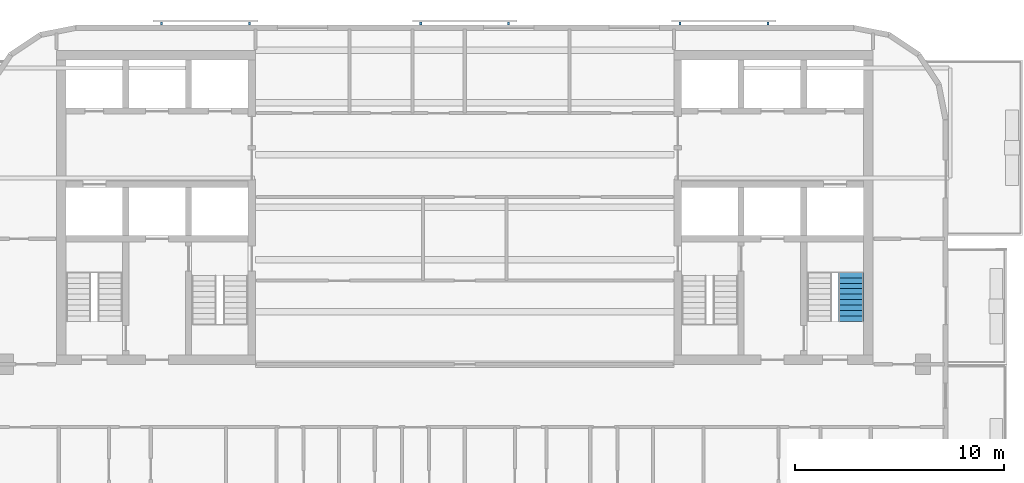
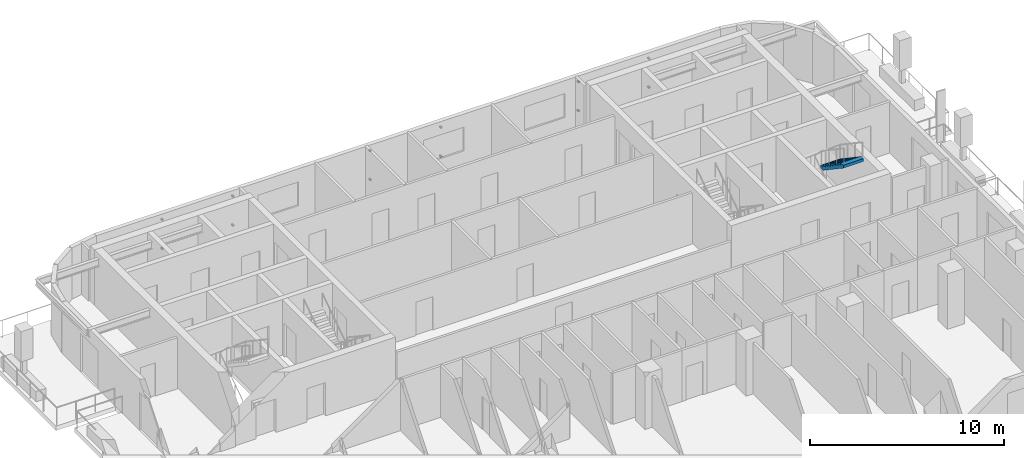
# One storey, part 8 of 11: 12 discrete accessories, 1 stair flight, 1 element without a shape of its own.
"""IFC4 building model written with IfcOpenShell, lengths in metres."""

import ifcopenshell
import ifcopenshell.guid

model = None  # the IFC model being written
_history = None  # IfcOwnerHistory: only IFC2X3 demands one
_inside = {}  # id of a spatial element -> (the spatial element, [elements in it])
_under = {}  # id of a project, library or spatial element -> (it, [spatial elements below it])
_declared = {}  # id of a project -> (the project, [libraries it declares])
_typed = {}  # id of a type object -> (the type object, [elements of that type])
_made_of = {}  # id of a material, layer set ... -> (it, [elements and type objects made of it])


def new_model(schema):
    """Start an empty IFC model of exactly this schema.

    Asked for "IFC4X3", IfcOpenShell would pick the latest addendum, in which some entities
    have other attributes; the version numbers below select the first issue.
    IFC2X3 requires an IfcOwnerHistory on every rooted entity: one is made here for all.
    """
    global model, _history
    if schema == "IFC4X3":
        model = ifcopenshell.file(schema_version=(4, 3, 0, 0))
    else:
        model = ifcopenshell.file(schema=schema)
    _inside.clear()
    _under.clear()
    _declared.clear()
    _typed.clear()
    _made_of.clear()
    _history = None
    if model.schema == "IFC2X3":
        org = make("IfcOrganization", Name="unknown")
        user = make(
            "IfcPersonAndOrganization",
            ThePerson=make("IfcPerson", FamilyName="unknown"),
            TheOrganization=org,
        )
        app = make(
            "IfcApplication",
            ApplicationDeveloper=org,
            Version="unknown",
            ApplicationFullName="unknown",
            ApplicationIdentifier="unknown",
        )
        _history = make(
            "IfcOwnerHistory",
            OwningUser=user,
            OwningApplication=app,
            ChangeAction="ADDED",
            CreationDate=0,
        )
    return model


def make(cls, **values):
    """One entity of the class cls with the attributes given. An attribute that is None is left unset."""
    return model.create_entity(
        cls, **{name: value for name, value in values.items() if value is not None}
    )


def rooted(cls, **values):
    """An entity with a GlobalId (a new one), such as an element, a storey or a relation."""
    return make(cls, GlobalId=ifcopenshell.guid.new(), OwnerHistory=_history, **values)


def si_unit(unit_type, name, prefix=None):
    """IfcSIUnit, for example si_unit("LENGTHUNIT", "METRE", prefix="MILLI")."""
    return make("IfcSIUnit", UnitType=unit_type, Prefix=prefix, Name=name)


def assignment(units):
    """IfcUnitAssignment: the units of a project."""
    return None if units is None else make("IfcUnitAssignment", Units=units)


def point(xyz):
    """IfcCartesianPoint."""
    return None if xyz is None else make("IfcCartesianPoint", Coordinates=xyz)


def direction(xyz):
    """IfcDirection."""
    return None if xyz is None else make("IfcDirection", DirectionRatios=xyz)


def frame(location, z_axis=None, x_axis=None):
    """IfcAxis2Placement3D, a coordinate frame: its origin and axes. An axis left out is left unset."""
    return make(
        "IfcAxis2Placement3D",
        Location=point(location),
        Axis=direction(z_axis),
        RefDirection=direction(x_axis),
    )


def frame_2d(location, x_axis=None):
    """IfcAxis2Placement2D, a coordinate frame in the plane: its origin and x axis."""
    return make(
        "IfcAxis2Placement2D", Location=point(location), RefDirection=direction(x_axis)
    )


def origin():
    """The frame at (0, 0, 0) with its axes left unset."""
    return frame((0.0, 0.0, 0.0))


def origin_2d():
    """The frame at (0, 0) in the plane with its x axis left unset."""
    return frame_2d((0.0, 0.0))


def place(relative_to, where):
    """IfcLocalPlacement: puts the frame where relative to a parent placement (None: the world)."""
    return make(
        "IfcLocalPlacement", PlacementRelTo=relative_to, RelativePlacement=where
    )


def context(
    kind, dimensions, precision=None, world=None, true_north=None, identifier=None
):
    """IfcGeometricRepresentationContext, for example the 3D "Model" context."""
    return make(
        "IfcGeometricRepresentationContext",
        ContextIdentifier=identifier,
        ContextType=kind,
        CoordinateSpaceDimension=dimensions,
        Precision=precision,
        WorldCoordinateSystem=world,
        TrueNorth=true_north,
    )


def subcontext(parent, identifier, kind, view, scale=None):
    """IfcGeometricRepresentationSubContext, for example "Body" below "Model"."""
    return make(
        "IfcGeometricRepresentationSubContext",
        ContextIdentifier=identifier,
        ContextType=kind,
        ParentContext=parent,
        TargetScale=scale,
        TargetView=view,
    )


def project(units=None, contexts=None):
    """IfcProject with its units and contexts."""
    return rooted(
        "IfcProject",
        Name="project",
        RepresentationContexts=contexts,
        UnitsInContext=assignment(units),
    )


def spatial(cls, under=None, at=None, **own):
    """A site, building, storey or space (cls), placed at a placement, below another one or the project."""
    s = rooted(cls, ObjectPlacement=at, **own)
    if under is not None:
        _under.setdefault(under.id(), (under, []))[1].append(s)
    return s


def polyline(points):
    """IfcPolyline through the points."""
    return make("IfcPolyline", Points=[point(p) for p in points])


def profile(cls, at=None, kind="AREA", **sizes):
    """A parametric profile (cls). Its sizes go by their IFC names, for example OverallWidth=200.0."""
    return make(cls, ProfileType=kind, Position=at, **sizes)


def rectangle(**sizes):
    """IfcRectangleProfileDef."""
    return profile("IfcRectangleProfileDef", **sizes)


def outline(outer, holes=None, kind="AREA"):
    """IfcArbitraryClosedProfileDef: a profile drawn as a closed curve; with holes, ...WithVoids."""
    if holes is None:
        return make("IfcArbitraryClosedProfileDef", ProfileType=kind, OuterCurve=outer)
    return make(
        "IfcArbitraryProfileDefWithVoids",
        ProfileType=kind,
        OuterCurve=outer,
        InnerCurves=holes,
    )


def extrude(swept, where, along, depth):
    """IfcExtrudedAreaSolid: the profile swept, set in the frame where, extruded along a direction by depth."""
    return make(
        "IfcExtrudedAreaSolid",
        SweptArea=swept,
        Position=where,
        ExtrudedDirection=direction(along),
        Depth=depth,
    )


def shape(context_of_items, identifier, shape_type, items):
    """IfcShapeRepresentation: the items that make up one representation, for example the "Body"."""
    return make(
        "IfcShapeRepresentation",
        ContextOfItems=context_of_items,
        RepresentationIdentifier=identifier,
        RepresentationType=shape_type,
        Items=items,
    )


def material(Name=None, Category=None):
    """IfcMaterial."""
    return make("IfcMaterial", Name=Name, Category=Category)


def made_of(thing, what):
    """Note that an element or type object is made of a material, layer set ...; save() writes the relation."""
    if what is not None:
        _made_of.setdefault(what.id(), (what, []))[1].append(thing)
    return thing


def type_object(cls, material=None, **own):
    """A type object (cls), such as IfcWallType, which elements share."""
    return made_of(rooted(cls, **own), material)


def element(
    cls,
    number,
    at=None,
    inside=None,
    cuts=None,
    type_object=None,
    material=None,
    context=None,
    identifier="Body",
    shape_type=None,
    held_by="IfcProductDefinitionShape",
    body=None,
    shapes=None,
    **own,
):
    """One element of the class cls, such as IfcWall. Its Tag is "e" and its number.

    at: its placement. inside: the storey or other place that contains it. cuts: it is an
    opening in that element (IfcRelVoidsElement). A single representation is given by context,
    identifier, shape_type and body (its items); several are given by shapes. held_by: the class
    of the entity that holds the representations. save() writes the other relations.
    """
    e = rooted(cls, Tag="e%d" % number, ObjectPlacement=at, **own)
    if body is not None:
        shapes = [shape(context, identifier, shape_type, body)]
    if shapes is not None:
        e.Representation = make(held_by, Representations=shapes)
    if inside is not None:
        _inside.setdefault(inside.id(), (inside, []))[1].append(e)
    if cuts is not None:
        rooted(
            "IfcRelVoidsElement", RelatingBuildingElement=cuts, RelatedOpeningElement=e
        )
    if type_object is not None:
        _typed.setdefault(type_object.id(), (type_object, []))[1].append(e)
    return made_of(e, material)


def aggregate(whole, parts):
    """IfcRelAggregates: a whole, such as a stair, and the parts it consists of."""
    return rooted("IfcRelAggregates", RelatingObject=whole, RelatedObjects=parts)


def save(model, path):
    """Write the relations noted so far, then the file.

    IfcRelAggregates (storeys below a building ...), IfcRelContainedInSpatialStructure (elements
    in a storey), IfcRelDefinesByType, IfcRelAssociatesMaterial and IfcRelDeclares: one each for
    every whole, place, type object, material and project.
    """
    for whole, parts in _under.values():
        aggregate(whole, parts)
    for where, things in _inside.values():
        rooted(
            "IfcRelContainedInSpatialStructure",
            RelatedElements=things,
            RelatingStructure=where,
        )
    for kind, things in _typed.values():
        rooted("IfcRelDefinesByType", RelatedObjects=things, RelatingType=kind)
    for what, things in _made_of.values():
        rooted("IfcRelAssociatesMaterial", RelatedObjects=things, RelatingMaterial=what)
    for by, libraries in _declared.values():
        rooted("IfcRelDeclares", RelatingContext=by, RelatedDefinitions=libraries)
    model.write(path)


model = new_model("IFC4")

# Units and contexts
model_context = context("Model", 3, precision=1e-05, world=origin(), true_north=direction((0.0, 1.0)))
body_context = subcontext(model_context, "Body", "Model", "MODEL_VIEW")
ifc_project = project(units=[si_unit("LENGTHUNIT", "METRE"), si_unit("AREAUNIT", "SQUARE_METRE"), si_unit("VOLUMEUNIT", "CUBIC_METRE"), si_unit("PLANEANGLEUNIT", "RADIAN"), si_unit("MASSUNIT", "GRAM", prefix="KILO")], contexts=[model_context])

# Site, building, storey
site_placement = place(None, origin())
site = spatial("IfcSite", under=ifc_project, at=site_placement, CompositionType="ELEMENT")
building_placement = place(site_placement, origin())
building = spatial("IfcBuilding", under=site, at=building_placement, Name="Torana Hotel and Residences", CompositionType="ELEMENT")
storey_placement = place(building_placement, frame((0.0, 0.0, 270.10009765625)))
storey = spatial("IfcBuildingStorey", under=building, at=storey_placement, Name="L71", CompositionType="ELEMENT", Elevation=270.10009765625)

# Stair, stair flight
ifc_material_1 = material(Name="Concrete C40/50 precast", Category="concrete")
stair_type = type_object("IfcStairType", Name="STAIR ST4 HALF TURN 1200", PredefinedType="HALF_TURN_STAIR", material=ifc_material_1)
stair_placement = place(storey_placement, origin())
stair = element("IfcStair", 1, at=stair_placement, inside=storey, type_object=stair_type, Name="Stair ST4 L71", PredefinedType="HALF_TURN_STAIR")
ifc_material_2 = material(Name="Concrete C40/50 precast", Category="concrete")
stair_flight_type = type_object("IfcStairFlightType", Name="STAIR FLIGHT 1200 PRECAST", PredefinedType="STRAIGHT", material=ifc_material_2)
stair_flight_placement = place(storey_placement, frame((18.449951171875, -10.610107421875, 1.75), z_axis=(0.0, 0.0, 1.0), x_axis=(0.0, -1.0, 0.0)))
stair_flight = element("IfcStairFlight", 2, at=stair_flight_placement, type_object=stair_flight_type, Name="ST4 flight 2", NumberOfRisers=10, NumberOfTreads=9, PredefinedType="STRAIGHT", RiserHeight=0.175, TreadLength=0.26, context=body_context, shape_type="SweptSolid", body=[
    extrude(outline(polyline([(0.0, 0.0), (0.0, 0.175048828125), (0.260009765625, 0.175048828125), (0.260009765625, 0.35009765625), (0.52001953125, 0.35009765625), (0.52001953125, 0.52490234375), (0.780029296875, 0.52490234375), (0.780029296875, 0.699951171875), (1.0400390625, 0.699951171875), (1.0400390625, 0.875), (1.300048828125, 0.875), (1.300048828125, 1.050048828125), (1.56005859375, 1.050048828125), (1.56005859375, 1.22509765625), (1.820068359375, 1.22509765625), (1.820068359375, 1.39990234375), (2.080078125, 1.39990234375), (2.080078125, 1.574951171875), (2.340087890625, 1.574951171875), (2.340087890625, 1.75), (2.340087890625, 1.394287109375), (0.2685546875, 0.0), (0.0, 0.0)])), frame((0.0, 0.60009765625, 0.0), z_axis=(0.0, -1.0, 0.0), x_axis=(1.0, 0.0, 0.0)), (0.0, 0.0, 1.0), 1.199951171875),
])
aggregate(stair, [stair_flight])

# Discrete accessories
ifc_material_3 = material(Name="Steel S355", Category="steel")
discrete_accessory_type = type_object("IfcDiscreteAccessoryType", Name="SCREEN BRACKET 100", PredefinedType="BRACKET", material=ifc_material_3)
for number, where, z_axis, x_axis, name in (
    (3, (14.483642578125, 1.27490234375, 0.749755859375), (0.0, 0.0, 1.0), (-1.0, 0.0, 0.0), "Screen bracket L71"),
    (4, (14.483642578125, 1.27490234375, 2.56982421875), (0.0, 0.0, 1.0), (-1.0, 0.0, 0.0), "Screen bracket L71"),
    (5, (10.28369140625, 1.27490234375, 0.749755859375), (0.0, 0.0, 1.0), (-1.0, 0.0, 0.0), "Screen bracket L71"),
    (6, (10.28369140625, 1.27490234375, 2.56982421875), (0.0, 0.0, 1.0), (-1.0, 0.0, 0.0), "Screen bracket L71"),
    (7, (2.10009765625, 1.27490234375, 0.749755859375), (0.0, 0.0, 1.0), (-1.0, 0.0, 0.0), "Screen bracket L71"),
    (8, (2.10009765625, 1.27490234375, 2.56982421875), (0.0, 0.0, 1.0), (-1.0, 0.0, 0.0), "Screen bracket L71"),
    (9, (-2.10009765625, 1.27490234375, 0.749755859375), (0.0, 0.0, 1.0), (-1.0, 0.0, 0.0), "Screen bracket L71"),
    (10, (-2.10009765625, 1.27490234375, 2.56982421875), (0.0, 0.0, 1.0), (-1.0, 0.0, 0.0), "Screen bracket L71"),
    (11, (-10.28369140625, 1.27490234375, 0.749755859375), (0.0, 0.0, 1.0), (-1.0, 0.0, 0.0), "Screen bracket L71"),
    (12, (-10.28369140625, 1.27490234375, 2.56982421875), (0.0, 0.0, 1.0), (-1.0, 0.0, 0.0), "Screen bracket L71"),
    (13, (-14.483642578125, 1.27490234375, 0.749755859375), (0.0, 0.0, 1.0), (-1.0, 0.0, 0.0), "Screen bracket L71"),
    (14, (-14.483642578125, 1.27490234375, 2.56982421875), (0.0, 0.0, 1.0), (-1.0, 0.0, 0.0), "Screen bracket L71"),
):
    element("IfcDiscreteAccessory", number, at=place(storey_placement, frame(where, z_axis=z_axis, x_axis=x_axis)), inside=storey, type_object=discrete_accessory_type, Name=name, PredefinedType="BRACKET", context=body_context, shape_type="SweptSolid", body=[
        extrude(rectangle(XDim=0.10009765625, YDim=0.14990234375, at=origin_2d()), origin(), (0.0, 0.0, 1.0), 0.10009765625),
    ])

save(model, "model.ifc")
